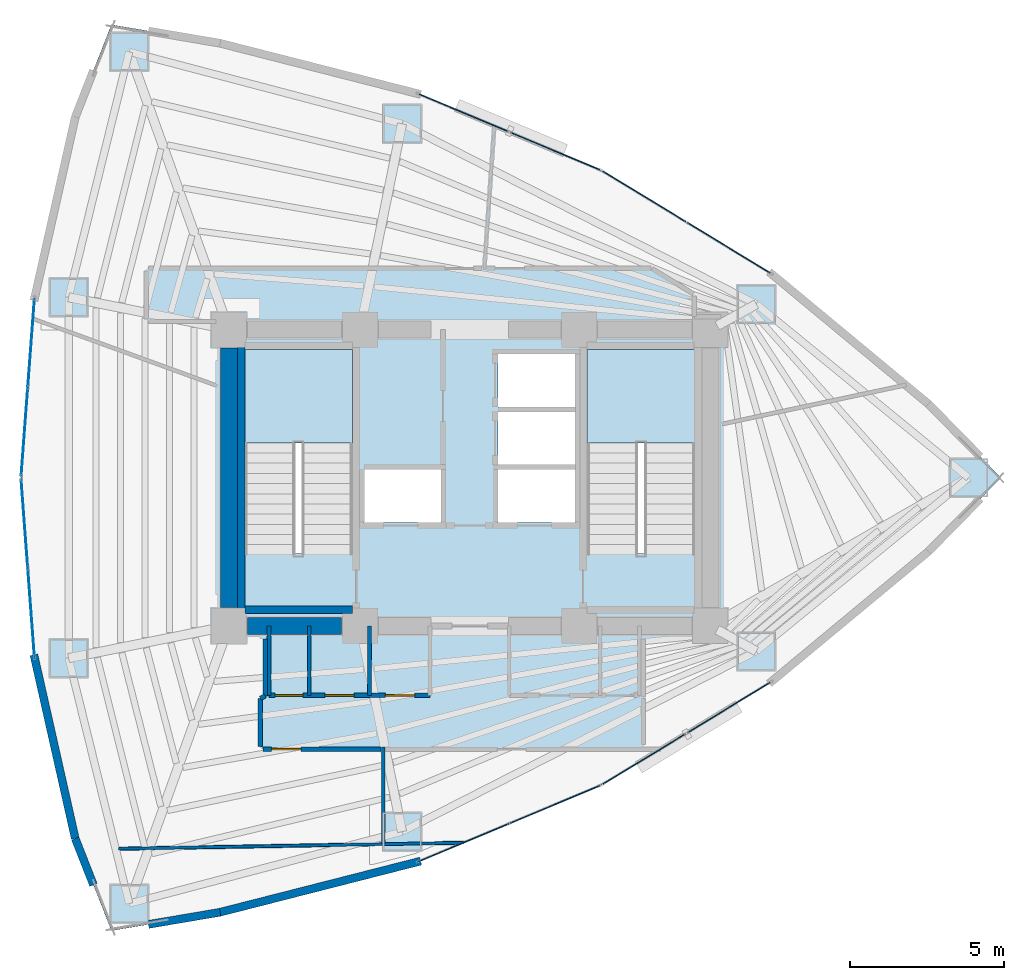
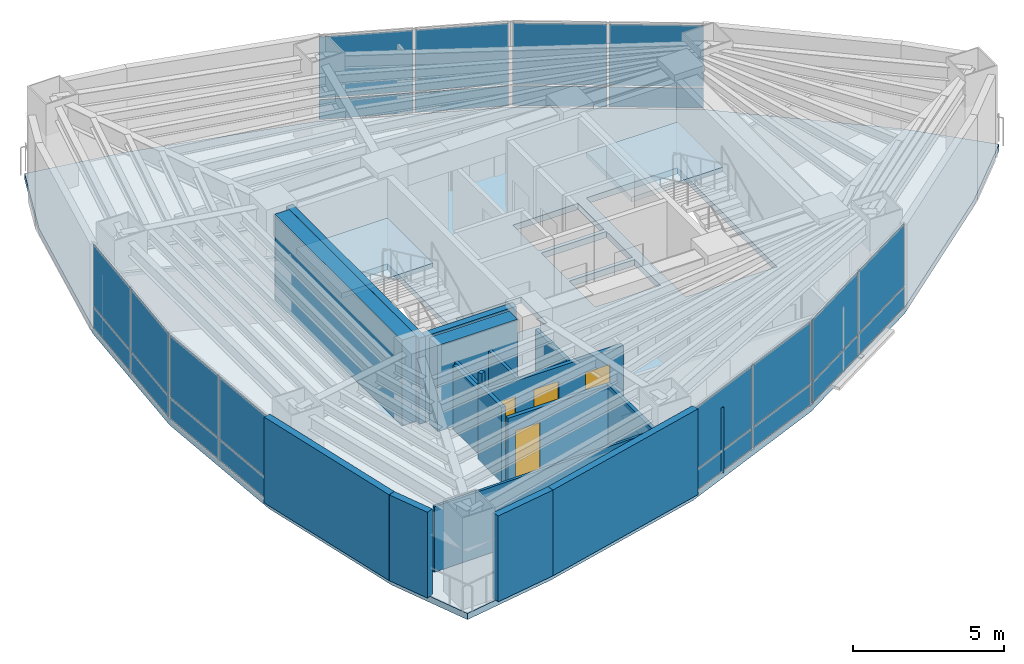
# One storey, part 14 of 19: 24 plates, 18 walls, 4 doors, 3 slabs, 4 openings, 8 elements without a shape of their own.
"""IFC4 building model written with IfcOpenShell, lengths in metres."""

from ifc_helpers import new_model, si_unit, direction, frame, frame_2d, origin, origin_2d, place, context, subcontext, project, spatial, polyline, rectangle, outline, extrude, material, layer, layer_set, type_object, element, fill, aggregate, save


model = new_model("IFC4")

# Units and contexts
model_context = context("Model", 3, precision=1e-05, world=origin(), true_north=direction((0.0, 1.0)))
body_context = subcontext(model_context, "Body", "Model", "MODEL_VIEW")
ifc_project = project(units=[si_unit("LENGTHUNIT", "METRE"), si_unit("AREAUNIT", "SQUARE_METRE"), si_unit("VOLUMEUNIT", "CUBIC_METRE"), si_unit("PLANEANGLEUNIT", "RADIAN"), si_unit("MASSUNIT", "GRAM", prefix="KILO")], contexts=[model_context])

# Site, building, storey
site_placement = place(None, origin())
site = spatial("IfcSite", under=ifc_project, at=site_placement, CompositionType="ELEMENT")
building_placement = place(site_placement, origin())
building = spatial("IfcBuilding", under=site, at=building_placement, Name="Menara Vayukalpa", CompositionType="ELEMENT")
storey_placement = place(building_placement, frame((0.0, 0.0, 122.580078125)))
storey = spatial("IfcBuildingStorey", under=building, at=storey_placement, Name="L30", CompositionType="ELEMENT", Elevation=122.580078125)

# Curtain wall, plates
ifc_material_1 = material(Name="Anodised Terracotta Aluminium Alloy 6063-T6", Category="masonry")
ifc_layer_1 = layer(ifc_material_1, 0.14990234375)
ifc_layer_set_1 = layer_set([ifc_layer_1], Name="Anodised Terracotta Aluminium Alloy 6063-T6")
curtain_wall_type = type_object("IfcCurtainWallType", Name="CW-CW3", PredefinedType="USERDEFINED", material=ifc_layer_set_1)
curtain_wall_1_placement = place(storey_placement, origin())
curtain_wall_1 = element("IfcCurtainWall", 1, at=curtain_wall_1_placement, inside=storey, type_object=curtain_wall_type, Name="L30 Mid Rise Terracotta Ribbon Curtain Wall CW3 04", ObjectType="UNITISED", PredefinedType="USERDEFINED")
ifc_material_2 = material(Name="Low-E Double Glazing", Category="glass")
ifc_layer_2 = layer(ifc_material_2, 0.030029296875)
ifc_layer_set_2 = layer_set([ifc_layer_2], Name="Low-E Double Glazing")
plate_type = type_object("IfcPlateType", Name="CWP-CW3", PredefinedType="CURTAIN_PANEL", material=ifc_layer_set_2)
plate_1_placement = place(storey_placement, frame((33.9921875, 29.44873046875, 0.06494140625), z_axis=(0.0, 0.0, 1.0), x_axis=(-0.854663123674, 0.519182959112, 0.0)))
plate_1 = element("IfcPlate", 2, at=plate_1_placement, type_object=plate_type, Name="CW3 panel 1.1", PredefinedType="CURTAIN_PANEL", context=body_context, shape_type="SweptSolid", body=[
    extrude(rectangle(XDim=3.1318359375, YDim=0.030029296875, at=origin_2d()), origin(), (0.0, 0.0, 1.0), 0.802490234375),
])
plate_2_placement = place(storey_placement, frame((33.9921875, 29.44873046875, 0.9326171875), z_axis=(0.0, 0.0, 1.0), x_axis=(-0.854663123674, 0.519182959112, 0.0)))
plate_2 = element("IfcPlate", 3, at=plate_2_placement, type_object=plate_type, Name="CW3 panel 1.2", PredefinedType="CURTAIN_PANEL", context=body_context, shape_type="SweptSolid", body=[
    extrude(rectangle(XDim=3.1318359375, YDim=0.030029296875, at=origin_2d()), origin(), (0.0, 0.0, 1.0), 2.472412109375),
])
plate_3_placement = place(storey_placement, frame((31.259765625, 31.1083984375, 0.06494140625), z_axis=(0.0, 0.0, 1.0), x_axis=(-0.854663123674, 0.519182959112, 0.0)))
plate_3 = element("IfcPlate", 4, at=plate_3_placement, type_object=plate_type, Name="CW3 panel 2.1", PredefinedType="CURTAIN_PANEL", context=body_context, shape_type="SweptSolid", body=[
    extrude(rectangle(XDim=3.1318359375, YDim=0.030029296875, at=origin_2d()), origin(), (0.0, 0.0, 1.0), 0.802490234375),
])
plate_4_placement = place(storey_placement, frame((31.259765625, 31.1083984375, 0.9326171875), z_axis=(0.0, 0.0, 1.0), x_axis=(-0.854663123674, 0.519182959112, 0.0)))
plate_4 = element("IfcPlate", 5, at=plate_4_placement, type_object=plate_type, Name="CW3 panel 2.2", PredefinedType="CURTAIN_PANEL", context=body_context, shape_type="SweptSolid", body=[
    extrude(rectangle(XDim=3.1318359375, YDim=0.030029296875, at=origin_2d()), origin(), (0.0, 0.0, 1.0), 2.472412109375),
])
aggregate(curtain_wall_1, [plate_1, plate_2, plate_3, plate_4])

curtain_wall_2_placement = place(storey_placement, origin())
curtain_wall_2 = element("IfcCurtainWall", 6, at=curtain_wall_2_placement, inside=storey, type_object=curtain_wall_type, Name="L30 Mid Rise Terracotta Ribbon Curtain Wall CW3 05", ObjectType="UNITISED", PredefinedType="USERDEFINED")
plate_5_placement = place(storey_placement, frame((28.361328125, 32.58447265625, 0.06494140625), z_axis=(0.0, 0.0, 1.0), x_axis=(-0.922543300632, 0.38589358437, 0.0)))
plate_5 = element("IfcPlate", 7, at=plate_5_placement, type_object=plate_type, Name="CW3 panel 1.1", PredefinedType="CURTAIN_PANEL", context=body_context, shape_type="SweptSolid", body=[
    extrude(rectangle(XDim=3.1318359375, YDim=0.030029296875, at=origin_2d()), origin(), (0.0, 0.0, 1.0), 0.802490234375),
])
plate_6_placement = place(storey_placement, frame((28.361328125, 32.58447265625, 0.9326171875), z_axis=(0.0, 0.0, 1.0), x_axis=(-0.922543300632, 0.38589358437, 0.0)))
plate_6 = element("IfcPlate", 8, at=plate_6_placement, type_object=plate_type, Name="CW3 panel 1.2", PredefinedType="CURTAIN_PANEL", context=body_context, shape_type="SweptSolid", body=[
    extrude(rectangle(XDim=3.1318359375, YDim=0.030029296875, at=origin_2d()), origin(), (0.0, 0.0, 1.0), 2.472412109375),
])
plate_7_placement = place(storey_placement, frame((25.412109375, 33.818115234375, 0.06494140625), z_axis=(0.0, 0.0, 1.0), x_axis=(-0.922543300632, 0.38589358437, 0.0)))
plate_7 = element("IfcPlate", 9, at=plate_7_placement, type_object=plate_type, Name="CW3 panel 2.1", PredefinedType="CURTAIN_PANEL", context=body_context, shape_type="SweptSolid", body=[
    extrude(rectangle(XDim=3.1318359375, YDim=0.030029296875, at=origin_2d()), origin(), (0.0, 0.0, 1.0), 0.802490234375),
])
plate_8_placement = place(storey_placement, frame((25.412109375, 33.818115234375, 0.9326171875), z_axis=(0.0, 0.0, 1.0), x_axis=(-0.922543300632, 0.38589358437, 0.0)))
plate_8 = element("IfcPlate", 10, at=plate_8_placement, type_object=plate_type, Name="CW3 panel 2.2", PredefinedType="CURTAIN_PANEL", context=body_context, shape_type="SweptSolid", body=[
    extrude(rectangle(XDim=3.1318359375, YDim=0.030029296875, at=origin_2d()), origin(), (0.0, 0.0, 1.0), 2.472412109375),
])
aggregate(curtain_wall_2, [plate_5, plate_6, plate_7, plate_8])

curtain_wall_3_placement = place(storey_placement, origin())
curtain_wall_3 = element("IfcCurtainWall", 11, at=curtain_wall_3_placement, inside=storey, type_object=curtain_wall_type, Name="L30 Mid Rise Terracotta Ribbon Curtain Wall CW3 10", ObjectType="UNITISED", PredefinedType="USERDEFINED")
plate_9_placement = place(storey_placement, frame((11.395751953125, 26.3681640625, 0.06494140625), z_axis=(0.0, 0.0, 1.0), x_axis=(-0.07478528334, -0.997199659745, 0.0)))
plate_9 = element("IfcPlate", 12, at=plate_9_placement, type_object=plate_type, Name="CW3 panel 1.1", PredefinedType="CURTAIN_PANEL", context=body_context, shape_type="SweptSolid", body=[
    extrude(rectangle(XDim=2.83349609375, YDim=0.030029296875, at=origin_2d()), origin(), (0.0, 0.0, 1.0), 0.802490234375),
])
plate_10_placement = place(storey_placement, frame((11.395751953125, 26.3681640625, 0.9326171875), z_axis=(0.0, 0.0, 1.0), x_axis=(-0.07478528334, -0.997199659745, 0.0)))
plate_10 = element("IfcPlate", 13, at=plate_10_placement, type_object=plate_type, Name="CW3 panel 1.2", PredefinedType="CURTAIN_PANEL", context=body_context, shape_type="SweptSolid", body=[
    extrude(rectangle(XDim=2.83349609375, YDim=0.030029296875, at=origin_2d()), origin(), (0.0, 0.0, 1.0), 2.472412109375),
])
plate_11_placement = place(storey_placement, frame((11.178955078125, 23.4775390625, 0.06494140625), z_axis=(0.0, 0.0, 1.0), x_axis=(-0.07478528334, -0.997199659745, 0.0)))
plate_11 = element("IfcPlate", 14, at=plate_11_placement, type_object=plate_type, Name="CW3 panel 2.1", PredefinedType="CURTAIN_PANEL", context=body_context, shape_type="SweptSolid", body=[
    extrude(rectangle(XDim=2.83349609375, YDim=0.030029296875, at=origin_2d()), origin(), (0.0, 0.0, 1.0), 0.802490234375),
])
plate_12_placement = place(storey_placement, frame((11.178955078125, 23.4775390625, 0.9326171875), z_axis=(0.0, 0.0, 1.0), x_axis=(-0.07478528334, -0.997199659745, 0.0)))
plate_12 = element("IfcPlate", 15, at=plate_12_placement, type_object=plate_type, Name="CW3 panel 2.2", PredefinedType="CURTAIN_PANEL", context=body_context, shape_type="SweptSolid", body=[
    extrude(rectangle(XDim=2.83349609375, YDim=0.030029296875, at=origin_2d()), origin(), (0.0, 0.0, 1.0), 2.472412109375),
])
aggregate(curtain_wall_3, [plate_9, plate_10, plate_11, plate_12])

curtain_wall_4_placement = place(storey_placement, origin())
curtain_wall_4 = element("IfcCurtainWall", 16, at=curtain_wall_4_placement, inside=storey, type_object=curtain_wall_type, Name="L30 Mid Rise Terracotta Ribbon Curtain Wall CW3 11", ObjectType="UNITISED", PredefinedType="USERDEFINED")
plate_13_placement = place(storey_placement, frame((11.178955078125, 20.5224609375, 0.06494140625), z_axis=(0.0, 0.0, 1.0), x_axis=(0.07478528334, -0.997199659745, 0.0)))
plate_13 = element("IfcPlate", 17, at=plate_13_placement, type_object=plate_type, Name="CW3 panel 1.1", PredefinedType="CURTAIN_PANEL", context=body_context, shape_type="SweptSolid", body=[
    extrude(rectangle(XDim=2.83349609375, YDim=0.030029296875, at=origin_2d()), origin(), (0.0, 0.0, 1.0), 0.802490234375),
])
plate_14_placement = place(storey_placement, frame((11.178955078125, 20.5224609375, 0.9326171875), z_axis=(0.0, 0.0, 1.0), x_axis=(0.07478528334, -0.997199659745, 0.0)))
plate_14 = element("IfcPlate", 18, at=plate_14_placement, type_object=plate_type, Name="CW3 panel 1.2", PredefinedType="CURTAIN_PANEL", context=body_context, shape_type="SweptSolid", body=[
    extrude(rectangle(XDim=2.83349609375, YDim=0.030029296875, at=origin_2d()), origin(), (0.0, 0.0, 1.0), 2.472412109375),
])
plate_15_placement = place(storey_placement, frame((11.395751953125, 17.6318359375, 0.06494140625), z_axis=(0.0, 0.0, 1.0), x_axis=(0.07478528334, -0.997199659745, 0.0)))
plate_15 = element("IfcPlate", 19, at=plate_15_placement, type_object=plate_type, Name="CW3 panel 2.1", PredefinedType="CURTAIN_PANEL", context=body_context, shape_type="SweptSolid", body=[
    extrude(rectangle(XDim=2.83349609375, YDim=0.030029296875, at=origin_2d()), origin(), (0.0, 0.0, 1.0), 0.802490234375),
])
plate_16_placement = place(storey_placement, frame((11.395751953125, 17.6318359375, 0.9326171875), z_axis=(0.0, 0.0, 1.0), x_axis=(0.07478528334, -0.997199659745, 0.0)))
plate_16 = element("IfcPlate", 20, at=plate_16_placement, type_object=plate_type, Name="CW3 panel 2.2", PredefinedType="CURTAIN_PANEL", context=body_context, shape_type="SweptSolid", body=[
    extrude(rectangle(XDim=2.83349609375, YDim=0.030029296875, at=origin_2d()), origin(), (0.0, 0.0, 1.0), 2.472412109375),
])
aggregate(curtain_wall_4, [plate_13, plate_14, plate_15, plate_16])

curtain_wall_5_placement = place(storey_placement, origin())
curtain_wall_5 = element("IfcCurtainWall", 21, at=curtain_wall_5_placement, inside=storey, type_object=curtain_wall_type, Name="L30 Mid Rise Terracotta Ribbon Curtain Wall CW3 16", ObjectType="UNITISED", PredefinedType="USERDEFINED")
plate_17_placement = place(storey_placement, frame((25.412109375, 10.181884765625, 0.06494140625), z_axis=(0.0, 0.0, 1.0), x_axis=(0.922543300632, 0.38589358437, 0.0)))
plate_17 = element("IfcPlate", 22, at=plate_17_placement, type_object=plate_type, Name="CW3 panel 1.1", PredefinedType="CURTAIN_PANEL", context=body_context, shape_type="SweptSolid", body=[
    extrude(rectangle(XDim=3.1318359375, YDim=0.030029296875, at=origin_2d()), origin(), (0.0, 0.0, 1.0), 0.802490234375),
])
plate_18_placement = place(storey_placement, frame((25.412109375, 10.181884765625, 0.9326171875), z_axis=(0.0, 0.0, 1.0), x_axis=(0.922543300632, 0.38589358437, 0.0)))
plate_18 = element("IfcPlate", 23, at=plate_18_placement, type_object=plate_type, Name="CW3 panel 1.2", PredefinedType="CURTAIN_PANEL", context=body_context, shape_type="SweptSolid", body=[
    extrude(rectangle(XDim=3.1318359375, YDim=0.030029296875, at=origin_2d()), origin(), (0.0, 0.0, 1.0), 2.472412109375),
])
plate_19_placement = place(storey_placement, frame((28.361328125, 11.41552734375, 0.06494140625), z_axis=(0.0, 0.0, 1.0), x_axis=(0.922543300632, 0.38589358437, 0.0)))
plate_19 = element("IfcPlate", 24, at=plate_19_placement, type_object=plate_type, Name="CW3 panel 2.1", PredefinedType="CURTAIN_PANEL", context=body_context, shape_type="SweptSolid", body=[
    extrude(rectangle(XDim=3.1318359375, YDim=0.030029296875, at=origin_2d()), origin(), (0.0, 0.0, 1.0), 0.802490234375),
])
plate_20_placement = place(storey_placement, frame((28.361328125, 11.41552734375, 0.9326171875), z_axis=(0.0, 0.0, 1.0), x_axis=(0.922543300632, 0.38589358437, 0.0)))
plate_20 = element("IfcPlate", 25, at=plate_20_placement, type_object=plate_type, Name="CW3 panel 2.2", PredefinedType="CURTAIN_PANEL", context=body_context, shape_type="SweptSolid", body=[
    extrude(rectangle(XDim=3.1318359375, YDim=0.030029296875, at=origin_2d()), origin(), (0.0, 0.0, 1.0), 2.472412109375),
])
aggregate(curtain_wall_5, [plate_17, plate_18, plate_19, plate_20])

curtain_wall_6_placement = place(storey_placement, origin())
curtain_wall_6 = element("IfcCurtainWall", 26, at=curtain_wall_6_placement, inside=storey, type_object=curtain_wall_type, Name="L30 Mid Rise Terracotta Ribbon Curtain Wall CW3 17", ObjectType="UNITISED", PredefinedType="USERDEFINED")
plate_21_placement = place(storey_placement, frame((31.259765625, 12.8916015625, 0.06494140625), z_axis=(0.0, 0.0, 1.0), x_axis=(0.854663123674, 0.519182959112, 0.0)))
plate_21 = element("IfcPlate", 27, at=plate_21_placement, type_object=plate_type, Name="CW3 panel 1.1", PredefinedType="CURTAIN_PANEL", context=body_context, shape_type="SweptSolid", body=[
    extrude(rectangle(XDim=3.1318359375, YDim=0.030029296875, at=origin_2d()), origin(), (0.0, 0.0, 1.0), 0.802490234375),
])
plate_22_placement = place(storey_placement, frame((31.259765625, 12.8916015625, 0.9326171875), z_axis=(0.0, 0.0, 1.0), x_axis=(0.854663123674, 0.519182959112, 0.0)))
plate_22 = element("IfcPlate", 28, at=plate_22_placement, type_object=plate_type, Name="CW3 panel 1.2", PredefinedType="CURTAIN_PANEL", context=body_context, shape_type="SweptSolid", body=[
    extrude(rectangle(XDim=3.1318359375, YDim=0.030029296875, at=origin_2d()), origin(), (0.0, 0.0, 1.0), 2.472412109375),
])
plate_23_placement = place(storey_placement, frame((33.9921875, 14.55126953125, 0.06494140625), z_axis=(0.0, 0.0, 1.0), x_axis=(0.854663123674, 0.519182959112, 0.0)))
plate_23 = element("IfcPlate", 29, at=plate_23_placement, type_object=plate_type, Name="CW3 panel 2.1", PredefinedType="CURTAIN_PANEL", context=body_context, shape_type="SweptSolid", body=[
    extrude(rectangle(XDim=3.1318359375, YDim=0.030029296875, at=origin_2d()), origin(), (0.0, 0.0, 1.0), 0.802490234375),
])
plate_24_placement = place(storey_placement, frame((33.9921875, 14.55126953125, 0.9326171875), z_axis=(0.0, 0.0, 1.0), x_axis=(0.854663123674, 0.519182959112, 0.0)))
plate_24 = element("IfcPlate", 30, at=plate_24_placement, type_object=plate_type, Name="CW3 panel 2.2", PredefinedType="CURTAIN_PANEL", context=body_context, shape_type="SweptSolid", body=[
    extrude(rectangle(XDim=3.1318359375, YDim=0.030029296875, at=origin_2d()), origin(), (0.0, 0.0, 1.0), 2.472412109375),
])
aggregate(curtain_wall_6, [plate_21, plate_22, plate_23, plate_24])

# Slab
ifc_material_3 = material(Name="Concrete C40/50", Category="concrete")
ifc_layer_3 = layer(ifc_material_3, 0.25)
ifc_layer_set_3 = layer_set([ifc_layer_3], Name="Concrete C40/50")
slab_type_1 = type_object("IfcSlabType", Name="SLB-FL250", PredefinedType="FLOOR", material=ifc_layer_set_3)
slab_1_placement = place(storey_placement, frame((0.0, 0.0, -0.25)))
element("IfcSlab", 31, at=slab_1_placement, inside=storey, type_object=slab_type_1, Name="L30 Structural Floor Slab", PredefinedType="FLOOR", context=body_context, shape_type="SweptSolid", body=[
    extrude(outline(polyline([(40.4677734375, 19.6123046875), (42.81201171875, 22.0), (40.4677734375, 24.3876953125), (35.385986328125, 28.601806640625), (29.865966796875, 31.955078125), (23.907470703125, 34.447509765625), (17.510498046875, 36.0791015625), (13.993896484375, 36.676025390625), (12.822021484375, 33.69140625), (11.506591796875, 27.845703125), (11.068115234375, 22.0), (11.506591796875, 16.154296875), (12.822021484375, 10.30859375), (13.993896484375, 7.323974609375), (17.510498046875, 7.9208984375), (23.907470703125, 9.552490234375), (29.865966796875, 12.044921875), (35.385986328125, 15.398193359375), (40.4677734375, 19.6123046875)]), holes=[polyline([(21.800048828125, 19.550048828125), (21.800048828125, 26.14990234375), (18.300048828125, 26.14990234375), (18.300048828125, 19.550048828125), (21.800048828125, 19.550048828125)]), polyline([(32.89990234375, 19.550048828125), (32.89990234375, 26.14990234375), (29.39990234375, 26.14990234375), (29.39990234375, 19.550048828125), (32.89990234375, 19.550048828125)]), polyline([(22.179931640625, 20.550048828125), (24.679931640625, 20.550048828125), (24.679931640625, 22.27001953125), (22.179931640625, 22.27001953125), (22.179931640625, 20.550048828125)]), polyline([(26.52001953125, 20.550048828125), (29.02001953125, 20.550048828125), (29.02001953125, 22.27001953125), (26.52001953125, 22.27001953125), (26.52001953125, 20.550048828125)]), polyline([(26.52001953125, 24.2900390625), (29.02001953125, 24.2900390625), (29.02001953125, 26.010009765625), (26.52001953125, 26.010009765625), (26.52001953125, 24.2900390625)]), polyline([(26.52001953125, 22.419921875), (29.02001953125, 22.419921875), (29.02001953125, 24.139892578125), (26.52001953125, 24.139892578125), (26.52001953125, 22.419921875)])]), origin(), (0.0, 0.0, 1.0), 0.25),
])

# Stair, slab
ifc_material_4 = material(Name="Precast Concrete C40/50", Category="concrete")
stair_type = type_object("IfcStairType", Name="STR-T04", PredefinedType="DOUBLE_RETURN_STAIR", material=ifc_material_4)
stair_1_placement = place(storey_placement, origin())
stair_1 = element("IfcStair", 32, at=stair_1_placement, inside=storey, type_object=stair_type, Name="L30 Core Exit Stair ST-1", PredefinedType="DOUBLE_RETURN_STAIR")
ifc_material_5 = material(Name="Precast Concrete C40/50", Category="concrete")
ifc_layer_4 = layer(ifc_material_5, 0.199951171875)
ifc_layer_set_4 = layer_set([ifc_layer_4], Name="Precast Concrete C40/50")
slab_type_2 = type_object("IfcSlabType", Name="SLB-LND200", PredefinedType="LANDING", material=ifc_layer_set_4)
slab_2_placement = place(storey_placement, frame((0.0, 0.0, 1.659912109375)))
slab_2 = element("IfcSlab", 33, at=slab_2_placement, type_object=slab_type_2, Name="ST-1 landing 1", PredefinedType="LANDING", context=body_context, shape_type="SweptSolid", body=[
    extrude(outline(polyline([(21.800048828125, 23.1298828125), (21.800048828125, 26.14990234375), (18.300048828125, 26.14990234375), (18.300048828125, 23.1298828125), (21.800048828125, 23.1298828125)])), origin(), (0.0, 0.0, 1.0), 0.199951171875),
])
aggregate(stair_1, [slab_2])

stair_2_placement = place(storey_placement, origin())
stair_2 = element("IfcStair", 34, at=stair_2_placement, inside=storey, type_object=stair_type, Name="L30 Core Exit Stair ST-2", PredefinedType="DOUBLE_RETURN_STAIR")
slab_3_placement = place(storey_placement, frame((0.0, 0.0, 1.659912109375)))
slab_3 = element("IfcSlab", 35, at=slab_3_placement, type_object=slab_type_2, Name="ST-2 landing 1", PredefinedType="LANDING", context=body_context, shape_type="SweptSolid", body=[
    extrude(outline(polyline([(32.89990234375, 23.1298828125), (32.89990234375, 26.14990234375), (29.39990234375, 26.14990234375), (29.39990234375, 23.1298828125), (32.89990234375, 23.1298828125)])), origin(), (0.0, 0.0, 1.0), 0.199951171875),
])
aggregate(stair_2, [slab_3])

# Walls
ifc_material_6 = material(Name="Concrete C60/75", Category="concrete")
ifc_layer_5 = layer(ifc_material_6, 0.550048828125)
ifc_layer_set_5 = layer_set([ifc_layer_5], Name="Concrete C60/75")
wall_type_1 = type_object("IfcWallType", Name="WAL-CW550", PredefinedType="SHEAR", material=ifc_layer_set_5)
wall_1_placement = place(storey_placement, frame((18.39501953125, 17.199951171875, 0.0), z_axis=(0.0, 0.0, 1.0), x_axis=(1.0, 0.0, 0.0)))
element("IfcWall", 36, at=wall_1_placement, inside=storey, type_object=wall_type_1, Name="L30 Buttressed Core Shear Wall CWS1", PredefinedType="SHEAR", context=body_context, shape_type="SweptSolid", body=[
    extrude(rectangle(XDim=3.06005859375, YDim=0.550048828125, at=frame_2d((1.530029296875, 0.0))), origin(), (0.0, 0.0, 1.0), 3.469970703125),
])
wall_2_placement = place(storey_placement, frame((17.800048828125, 17.794921875, 0.0), z_axis=(0.0, 0.0, 1.0), x_axis=(0.0, 1.0, 0.0)))
element("IfcWall", 37, at=wall_2_placement, inside=storey, type_object=wall_type_1, Name="L30 Buttressed Core Shear Wall CWW1", PredefinedType="SHEAR", context=body_context, shape_type="SweptSolid", body=[
    extrude(rectangle(XDim=8.41015625, YDim=0.550048828125, at=frame_2d((4.205078125, 0.0))), origin(), (0.0, 0.0, 1.0), 3.469970703125),
])
ifc_material_7 = material(Name="Insulated Precast Concrete C40/50", Category="concrete")
ifc_layer_6 = layer(ifc_material_7, 0.260009765625)
ifc_layer_set_6 = layer_set([ifc_layer_6], Name="Insulated Precast Concrete C40/50")
wall_type_2 = type_object("IfcWallType", Name="WAL-EXT260", PredefinedType="PARTITIONING", material=ifc_layer_set_6)
wall_3_placement = place(storey_placement, frame((12.822021484375, 10.30859375, 0.0), z_axis=(0.0, 0.0, 1.0), x_axis=(-0.219535044336, 0.975604614743, 0.0)))
element("IfcWall", 38, at=wall_3_placement, inside=storey, type_object=wall_type_2, Name="L30 Perimeter Terracotta Pier Wall 12", PredefinedType="PARTITIONING", context=body_context, shape_type="SweptSolid", body=[
    extrude(rectangle(XDim=6.10205078125, YDim=0.260009765625, at=frame_2d((3.051025390625, 0.0))), origin(), (0.0, 0.0, 1.0), 3.469970703125),
])
wall_4_placement = place(storey_placement, frame((13.411865234375, 8.806396484375, 0.0), z_axis=(0.0, 0.0, 1.0), x_axis=(-0.365488551504, 0.930815835018, 0.0)))
element("IfcWall", 39, at=wall_4_placement, inside=storey, type_object=wall_type_2, Name="L30 Perimeter Terracotta Pier Wall 13", PredefinedType="PARTITIONING", context=body_context, shape_type="SweptSolid", body=[
    extrude(rectangle(XDim=1.61376953125, YDim=0.260009765625, at=frame_2d((0.806884765625, 0.0))), origin(), (0.0, 0.0, 1.0), 3.469970703125),
])
wall_5_placement = place(storey_placement, frame((17.516357421875, 7.921875, 0.0), z_axis=(0.0, 0.0, 1.0), x_axis=(-0.985905269947, -0.167304508875, 0.0)))
element("IfcWall", 40, at=wall_5_placement, inside=storey, type_object=wall_type_2, Name="L30 Perimeter Terracotta Pier Wall 14", PredefinedType="PARTITIONING", context=body_context, shape_type="SweptSolid", body=[
    extrude(rectangle(XDim=2.356689453125, YDim=0.260009765625, at=frame_2d((1.17822265625, 0.0))), origin(), (0.0, 0.0, 1.0), 3.469970703125),
])
wall_6_placement = place(storey_placement, frame((24.013916015625, 9.57958984375, 0.0), z_axis=(0.0, 0.0, 1.0), x_axis=(-0.968981437296, -0.247133514876, 0.0)))
element("IfcWall", 41, at=wall_6_placement, inside=storey, type_object=wall_type_2, Name="L30 Perimeter Terracotta Pier Wall 15", PredefinedType="PARTITIONING", context=body_context, shape_type="SweptSolid", body=[
    extrude(rectangle(XDim=6.717529296875, YDim=0.260009765625, at=frame_2d((3.35888671875, 0.0))), origin(), (0.0, 0.0, 1.0), 3.469970703125),
])
ifc_material_8 = material(Name="Glazed Demountable Office Partition", Category="glass")
ifc_layer_7 = layer(ifc_material_8, 0.094970703125)
ifc_layer_set_7 = layer_set([ifc_layer_7], Name="Glazed Demountable Office Partition")
wall_type_3 = type_object("IfcWallType", Name="WAL-PT100", PredefinedType="PARTITIONING", material=ifc_layer_set_7)
wall_7_placement = place(storey_placement, frame((14.22900390625, 9.97998046875, 0.0), z_axis=(0.0, 0.0, 1.0), x_axis=(0.99984780162, 0.017446306083, 0.0)))
element("IfcWall", 42, at=wall_7_placement, inside=storey, type_object=wall_type_3, Name="L30 Interior Partition IW-L30-RDIV04", PredefinedType="PARTITIONING", context=body_context, shape_type="SweptSolid", body=[
    extrude(rectangle(XDim=11.195068359375, YDim=0.094970703125, at=frame_2d((5.59765625, 0.0))), origin(), (0.0, 0.0, 1.0), 2.64990234375),
])
ifc_material_9 = material(Name="Acoustic Mineral Stud Partition", Category="masonry")
ifc_layer_8 = layer(ifc_material_9, 0.110107421875)
ifc_layer_set_8 = layer_set([ifc_layer_8], Name="Acoustic Mineral Stud Partition")
wall_type_4 = type_object("IfcWallType", Name="WAL-PT110", PredefinedType="PARTITIONING", material=ifc_layer_set_8)
wall_8_placement = place(storey_placement, frame((20.39990234375, 14.949951171875, 0.0), z_axis=(0.0, 0.0, 1.0), x_axis=(0.0, 1.0, 0.0)))
element("IfcWall", 43, at=wall_8_placement, inside=storey, type_object=wall_type_4, Name="L30 Interior Partition IW-L30-SVCD-02", PredefinedType="PARTITIONING", context=body_context, shape_type="SweptSolid", body=[
    extrude(rectangle(XDim=2.25, YDim=0.110107421875, at=frame_2d((1.125, 0.0))), origin(), (0.0, 0.0, 1.0), 2.599853515625),
])
ifc_material_10 = material(Name="Gypsum Drywall Steel Stud Assembly", Category="steel")
ifc_layer_9 = layer(ifc_material_10, 0.125)
ifc_layer_set_9 = layer_set([ifc_layer_9], Name="Gypsum Drywall Steel Stud Assembly")
wall_type_5 = type_object("IfcWallType", Name="WAL-PT125", PredefinedType="PARTITIONING", material=ifc_layer_set_9)
for number, where, z_axis, x_axis, name in (
    (44, (19.10009765625, 14.949951171875, 0.0), (0.0, 0.0, 1.0), (0.0, 1.0, 0.0), "L30 Interior Partition IW-L30-SVCD-01"),
    (45, (22.360107421875, 14.949951171875, 0.0), (0.0, 0.0, 1.0), (0.0, 1.0, 0.0), "L30 Interior Partition IW-L30-SVCD-03"),
):
    element("IfcWall", number, at=place(storey_placement, frame(where, z_axis=z_axis, x_axis=x_axis)), inside=storey, type_object=wall_type_5, Name=name, PredefinedType="PARTITIONING", context=body_context, shape_type="SweptSolid", body=[
        extrude(rectangle(XDim=2.25, YDim=0.125, at=frame_2d((1.125, 0.0))), origin(), (0.0, 0.0, 1.0), 2.599853515625),
    ])
wall_9_placement = place(storey_placement, frame((22.800048828125, 10.139404296875, 0.0), z_axis=(0.0, 0.0, 1.0), x_axis=(0.0, 1.0, 0.0)))
element("IfcWall", 46, at=wall_9_placement, inside=storey, type_object=wall_type_5, Name="L30 Interior Partition IW-L30-RDIV05", PredefinedType="PARTITIONING", context=body_context, shape_type="SweptSolid", body=[
    extrude(rectangle(XDim=3.130615234375, YDim=0.125, at=frame_2d((1.5654296875, 0.0))), origin(), (0.0, 0.0, 1.0), 2.64990234375),
])

# Wall, openings, doors
ifc_material_11 = material(Name="Gypsum Drywall Acoustic Stud Assembly", Category="masonry")
ifc_layer_10 = layer(ifc_material_11, 0.14501953125)
ifc_layer_set_10 = layer_set([ifc_layer_10], Name="Gypsum Drywall Acoustic Stud Assembly")
wall_type_6 = type_object("IfcWallType", Name="WAL-PT150", PredefinedType="PARTITIONING", material=ifc_layer_set_10)
wall_10_placement = place(storey_placement, frame((19.10009765625, 14.949951171875, 0.0), z_axis=(0.0, 0.0, 1.0), x_axis=(1.0, 0.0, 0.0)))
wall_10 = element("IfcWall", 47, at=wall_10_placement, inside=storey, type_object=wall_type_6, Name="L30 Interior Partition IW-L30-SVCS-W", PredefinedType="PARTITIONING", context=body_context, shape_type="SweptSolid", body=[
    extrude(rectangle(XDim=5.219970703125, YDim=0.14501953125, at=frame_2d((2.60986328125, 0.0))), origin(), (0.0, 0.0, 1.0), 2.64990234375),
])
opening_1_placement = place(wall_10_placement, frame((0.199951171875, 0.0, 0.0)))
opening_1 = element("IfcOpeningElement", 48, at=opening_1_placement, cuts=wall_10, Name="Opening ID7", PredefinedType="OPENING", context=body_context, shape_type="SweptSolid", body=[
    extrude(rectangle(XDim=0.89990234375, YDim=2.02001953125, at=frame_2d((0.449951171875, 1.010009765625))), frame((0.0, 0.08251953125, 0.0), z_axis=(0.0, -1.0, 0.0), x_axis=(1.0, 0.0, 0.0)), (0.0, 0.0, 1.0), 0.1650390625),
])
opening_2_placement = place(wall_10_placement, frame((1.804931640625, 0.0, 0.0)))
opening_2 = element("IfcOpeningElement", 49, at=opening_2_placement, cuts=wall_10, Name="Opening ID5", PredefinedType="OPENING", context=body_context, shape_type="SweptSolid", body=[
    extrude(rectangle(XDim=0.949951171875, YDim=2.06005859375, at=frame_2d((0.47509765625, 1.030029296875))), frame((0.0, 0.08251953125, 0.0), z_axis=(0.0, -1.0, 0.0), x_axis=(1.0, 0.0, 0.0)), (0.0, 0.0, 1.0), 0.1650390625),
])
opening_3_placement = place(wall_10_placement, frame((3.764892578125, 0.0, 0.0)))
opening_3 = element("IfcOpeningElement", 50, at=opening_3_placement, cuts=wall_10, Name="Opening ID5", PredefinedType="OPENING", context=body_context, shape_type="SweptSolid", body=[
    extrude(rectangle(XDim=0.949951171875, YDim=2.06005859375, at=frame_2d((0.47509765625, 1.030029296875))), frame((0.0, 0.08251953125, 0.0), z_axis=(0.0, -1.0, 0.0), x_axis=(1.0, 0.0, 0.0)), (0.0, 0.0, 1.0), 0.1650390625),
])
ifc_material_12 = material(Name="Acoustic Hardwood Veneer Timber Door", Category="wood")
door_type_1 = type_object("IfcDoorType", Name="DR-INT95", OperationType="NOTDEFINED", PredefinedType="DOOR", material=ifc_material_12)
door_1_placement = place(opening_2_placement, origin())
door_1 = element("IfcDoor", 51, at=door_1_placement, inside=storey, type_object=door_type_1, Name="L30 Interior Door DR-L30-AWC", OperationType="SINGLE_SWING_LEFT", OverallHeight=2.06005859375, OverallWidth=0.949951171875, PredefinedType="DOOR", context=body_context, shape_type="SweptSolid", body=[
    extrude(rectangle(XDim=0.949951171875, YDim=2.06005859375, at=frame_2d((0.47509765625, 1.030029296875))), frame((0.0, 0.02490234375, 0.0), z_axis=(0.0, -1.0, 0.0), x_axis=(1.0, 0.0, 0.0)), (0.0, 0.0, 1.0), 0.050048828125),
])
fill(opening_2, door_1)
door_2_placement = place(opening_3_placement, origin())
door_2 = element("IfcDoor", 52, at=door_2_placement, inside=storey, type_object=door_type_1, Name="L30 Interior Door DR-L30-SWC", OperationType="SINGLE_SWING_RIGHT", OverallHeight=2.06005859375, OverallWidth=0.949951171875, PredefinedType="DOOR", context=body_context, shape_type="SweptSolid", body=[
    extrude(rectangle(XDim=0.949951171875, YDim=2.06005859375, at=frame_2d((0.47509765625, 1.030029296875))), frame((0.0, 0.02490234375, 0.0), z_axis=(0.0, -1.0, 0.0), x_axis=(1.0, 0.0, 0.0)), (0.0, 0.0, 1.0), 0.050048828125),
])
fill(opening_3, door_2)
ifc_material_13 = material(Name="Powder-Coated Steel Riser Access Door", Category="steel")
door_type_2 = type_object("IfcDoorType", Name="DR-RISER", OperationType="NOTDEFINED", PredefinedType="DOOR", material=ifc_material_13)
door_3_placement = place(opening_1_placement, origin())
door_3 = element("IfcDoor", 53, at=door_3_placement, inside=storey, type_object=door_type_2, Name="L30 Interior Door DR-L30-ELR", OperationType="SINGLE_SWING_RIGHT", OverallHeight=2.02001953125, OverallWidth=0.89990234375, PredefinedType="DOOR", context=body_context, shape_type="SweptSolid", body=[
    extrude(rectangle(XDim=0.89990234375, YDim=2.02001953125, at=frame_2d((0.449951171875, 1.010009765625))), frame((0.0, 0.02490234375, 0.0), z_axis=(0.0, -1.0, 0.0), x_axis=(1.0, 0.0, 0.0)), (0.0, 0.0, 1.0), 0.050048828125),
])
fill(opening_1, door_3)

# Walls
wall_11_placement = place(storey_placement, frame((18.97998046875, 16.780029296875, 0.0), z_axis=(0.0, 0.0, 1.0), x_axis=(0.0, -1.0, 0.0)))
element("IfcWall", 54, at=wall_11_placement, inside=storey, type_object=wall_type_6, Name="L30 Interior Partition IW-L30-CRM01-1", PredefinedType="PARTITIONING", context=body_context, shape_type="SweptSolid", body=[
    extrude(rectangle(XDim=1.85009765625, YDim=0.14501953125, at=frame_2d((0.925048828125, 0.0))), origin(), (0.0, 0.0, 1.0), 2.599853515625),
])
wall_12_placement = place(storey_placement, frame((18.820068359375, 14.85009765625, 0.0), z_axis=(0.0, 0.0, 1.0), x_axis=(0.0, -1.0, 0.0)))
element("IfcWall", 55, at=wall_12_placement, inside=storey, type_object=wall_type_6, Name="L30 Interior Partition IW-L30-CRM01-2", PredefinedType="PARTITIONING", context=body_context, shape_type="SweptSolid", body=[
    extrude(rectangle(XDim=1.56005859375, YDim=0.14501953125, at=frame_2d((0.780029296875, 0.0))), origin(), (0.0, 0.0, 1.0), 3.0498046875),
])

# Wall, opening, door
wall_13_placement = place(storey_placement, frame((18.89990234375, 13.2099609375, 0.0), z_axis=(0.0, 0.0, 1.0), x_axis=(1.0, 0.0, 0.0)))
wall_13 = element("IfcWall", 56, at=wall_13_placement, inside=storey, type_object=wall_type_6, Name="L30 Interior Partition IW-L30-CRM01-3", PredefinedType="PARTITIONING", context=body_context, shape_type="SweptSolid", body=[
    extrude(rectangle(XDim=3.830078125, YDim=0.14501953125, at=frame_2d((1.9150390625, 0.0))), origin(), (0.0, 0.0, 1.0), 2.64990234375),
])
opening_4_placement = place(wall_13_placement, frame((0.280029296875, 0.0, 0.0)))
opening_4 = element("IfcOpeningElement", 57, at=opening_4_placement, cuts=wall_13, Name="Opening ID5", PredefinedType="OPENING", context=body_context, shape_type="SweptSolid", body=[
    extrude(rectangle(XDim=0.949951171875, YDim=2.06005859375, at=frame_2d((0.47509765625, 1.030029296875))), frame((0.0, 0.08251953125, 0.0), z_axis=(0.0, -1.0, 0.0), x_axis=(1.0, 0.0, 0.0)), (0.0, 0.0, 1.0), 0.1650390625),
])
door_4_placement = place(opening_4_placement, origin())
door_4 = element("IfcDoor", 58, at=door_4_placement, inside=storey, type_object=door_type_1, Name="L30 Interior Door DR-L30-RM01", OperationType="SINGLE_SWING_LEFT", OverallHeight=2.06005859375, OverallWidth=0.949951171875, PredefinedType="DOOR", context=body_context, shape_type="SweptSolid", body=[
    extrude(rectangle(XDim=0.949951171875, YDim=2.06005859375, at=frame_2d((0.47509765625, 1.030029296875))), frame((0.0, 0.02490234375, 0.0), z_axis=(0.0, -1.0, 0.0), x_axis=(1.0, 0.0, 0.0)), (0.0, 0.0, 1.0), 0.050048828125),
])
fill(opening_4, door_4)

# Walls
wall_14_placement = place(storey_placement, frame((18.820068359375, 14.85009765625, 0.0), z_axis=(0.0, 0.0, 1.0), x_axis=(0.89470021502, 0.446667130247, 0.0)))
element("IfcWall", 59, at=wall_14_placement, inside=storey, type_object=wall_type_6, Name="L30 Interior Partition IW-L30-CRM01-2-R0", PredefinedType="PARTITIONING", context=body_context, shape_type="SweptSolid", body=[
    extrude(rectangle(XDim=0.1787109375, YDim=0.14501953125, at=frame_2d((0.08935546875, 0.0))), origin(), (0.0, 0.0, 1.0), 3.469970703125),
])
ifc_material_14 = material(Name="Concrete C50/60", Category="concrete")
ifc_layer_11 = layer(ifc_material_14, 0.25)
ifc_layer_set_11 = layer_set([ifc_layer_11], Name="Concrete C50/60")
wall_type_7 = type_object("IfcWallType", Name="WAL-SW250", PredefinedType="SHEAR", material=ifc_layer_set_11)
wall_15_placement = place(storey_placement, frame((18.2041015625, 17.60009765625, 0.0), z_axis=(0.0, 0.0, 1.0), x_axis=(0.0, 1.0, 0.0)))
element("IfcWall", 60, at=wall_15_placement, inside=storey, type_object=wall_type_7, Name="L30 ST1 Structural Stair Shaft Wall W", PredefinedType="SHEAR", context=body_context, shape_type="SweptSolid", body=[
    extrude(rectangle(XDim=8.7998046875, YDim=0.25, at=frame_2d((4.39990234375, 0.0))), origin(), (0.0, 0.0, 1.0), 3.469970703125),
])
wall_16_placement = place(storey_placement, frame((18.3291015625, 17.72509765625, 0.0), z_axis=(0.0, 0.0, 1.0), x_axis=(1.0, 0.0, 0.0)))
element("IfcWall", 61, at=wall_16_placement, inside=storey, type_object=wall_type_7, Name="L30 ST1 Structural Stair Shaft Wall S", PredefinedType="SHEAR", context=body_context, shape_type="SweptSolid", body=[
    extrude(rectangle(XDim=3.470947265625, YDim=0.25, at=frame_2d((1.7353515625, 0.0))), origin(), (0.0, 0.0, 1.0), 3.469970703125),
])

save(model, "model.ifc")
